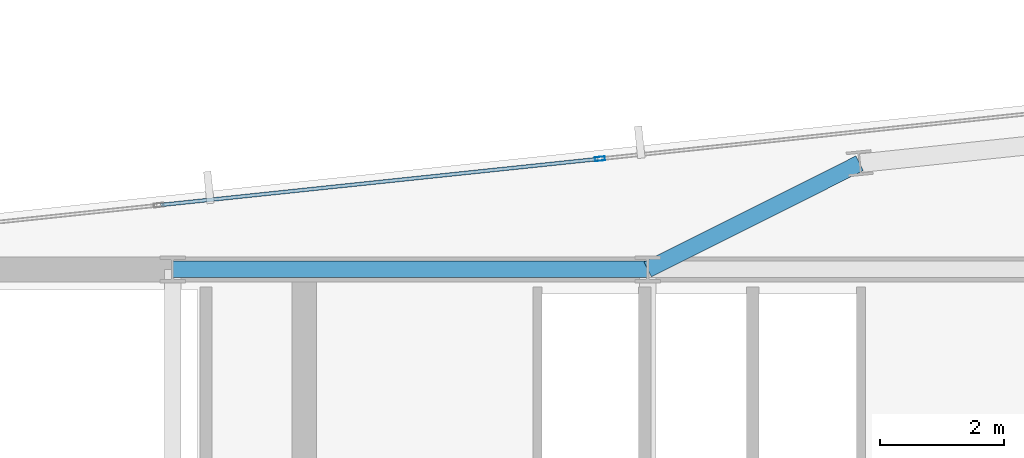
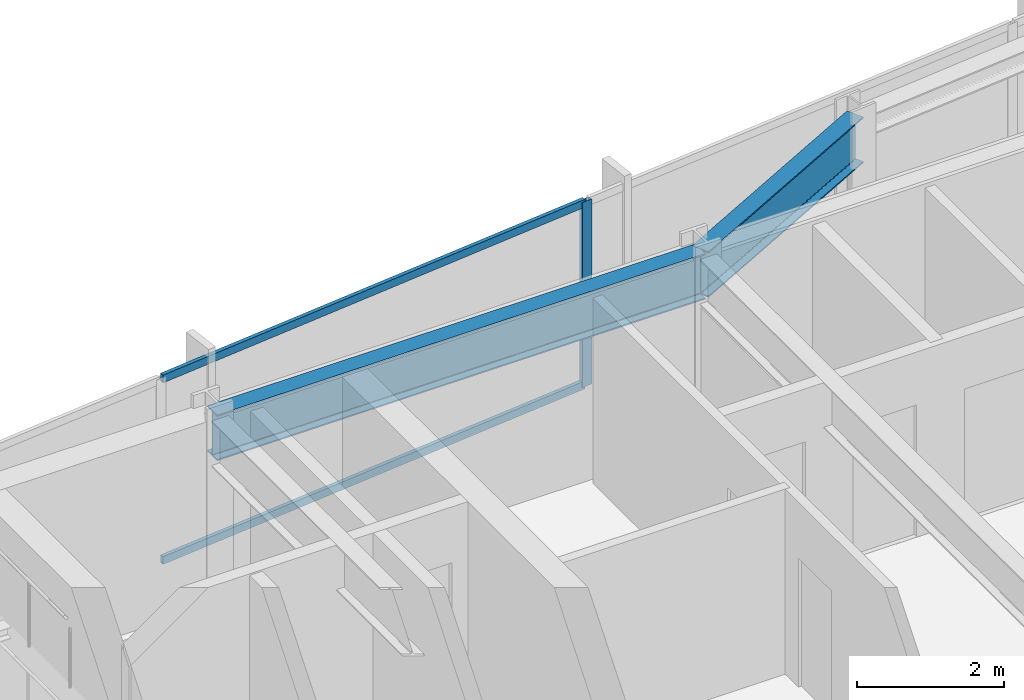
# One storey, part 21 of 32: 3 members, 2 beams, 1 element without a shape of its own.
"""IFC4 building model written with IfcOpenShell, lengths in metres."""

from ifc_helpers import new_model, si_unit, direction, frame, origin, origin_2d, place, context, subcontext, project, spatial, hollow_rectangle, i_section, extrude, material, material_profile, profile_set, type_object, element, aggregate, save


model = new_model("IFC4")

# Units and contexts
model_context = context("Model", 3, precision=1e-05, world=origin(), true_north=direction((0.0, 1.0)))
body_context = subcontext(model_context, "Body", "Model", "MODEL_VIEW")
ifc_project = project(units=[si_unit("LENGTHUNIT", "METRE"), si_unit("AREAUNIT", "SQUARE_METRE"), si_unit("VOLUMEUNIT", "CUBIC_METRE"), si_unit("PLANEANGLEUNIT", "RADIAN"), si_unit("MASSUNIT", "GRAM", prefix="KILO")], contexts=[model_context])

# Site, building, storey
site_placement = place(None, origin())
site = spatial("IfcSite", under=ifc_project, at=site_placement, CompositionType="ELEMENT")
building_placement = place(site_placement, origin())
building = spatial("IfcBuilding", under=site, at=building_placement, Name="Yelkora Congress Tower", CompositionType="ELEMENT")
storey_placement = place(building_placement, frame((0.0, 0.0, 214.39990234375)))
storey = spatial("IfcBuildingStorey", under=building, at=storey_placement, Name="L59", CompositionType="ELEMENT", Elevation=214.39990234375)

# Beams
ifc_material_1 = material(Name="Steel S355J2", Category="steel")
ifc_material_profile_1 = material_profile(ifc_material_1, i_section(OverallWidth=0.26708984375, OverallDepth=0.761962890625, WebThickness=0.014404296875, FlangeThickness=0.021484375, FilletRadius=0.01708984375, at=origin_2d()), Name="IPE 750x173")
ifc_profile_set_1 = profile_set([ifc_material_profile_1], Name="Steel S355J2")
beam_type = type_object("IfcBeamType", Name="BM-GIRD-IPE750", PredefinedType="BEAM", material=ifc_profile_set_1)
beam_1_placement = place(storey_placement, frame((30.719970703125, 46.199951171875, 2.69921875), z_axis=(1.0, 0.0, 0.0), x_axis=(0.0, 1.0, 0.0)))
element("IfcBeam", 1, at=beam_1_placement, inside=storey, type_object=beam_type, Name="L59 Core North Girder 3", PredefinedType="BEAM", context=body_context, shape_type="SweptSolid", body=[
    extrude(i_section(OverallWidth=0.26708984375, OverallDepth=0.761962890625, WebThickness=0.014404296875, FlangeThickness=0.021484375, FilletRadius=0.01708984375, at=origin_2d()), origin(), (0.0, 0.0, 1.0), 7.679931640625),
])
beam_2_placement = place(storey_placement, frame((41.828125, 47.91748046875, 2.69921875), z_axis=(-0.894070348256, -0.447926570288, 0.0), x_axis=(0.447926570288, -0.894070348256, 0.0)))
element("IfcBeam", 2, at=beam_2_placement, inside=storey, type_object=beam_type, Name="L59 Primary Frame Girder N04", PredefinedType="BEAM", context=body_context, shape_type="SweptSolid", body=[
    extrude(i_section(OverallWidth=0.26708984375, OverallDepth=0.761962890625, WebThickness=0.014404296875, FlangeThickness=0.021484375, FilletRadius=0.01708984375, at=origin_2d()), origin(), (0.0, 0.0, 1.0), 3.83447265625),
])

# Curtain wall, members
ifc_material_2 = material(Name="Anodised aluminium and insulated glass", Category="aluminium")
curtain_wall_type = type_object("IfcCurtainWallType", Name="CW-SYS-B4", PredefinedType="NOTDEFINED", material=ifc_material_2)
curtain_wall_placement = place(storey_placement, origin())
curtain_wall = element("IfcCurtainWall", 3, at=curtain_wall_placement, inside=storey, type_object=curtain_wall_type, Name="L59 Unitised Curtain Wall 10 (3)", PredefinedType="NOTDEFINED")
ifc_material_3 = material(Name="Anodised aluminium 6063-T6", Category="aluminium")
ifc_material_profile_2 = material_profile(ifc_material_3, hollow_rectangle(XDim=0.06494140625, YDim=0.159912109375, WallThickness=0.00390625, at=origin_2d()), Name="ALU 65x160x4")
ifc_profile_set_2 = profile_set([ifc_material_profile_2], Name="Anodised aluminium 6063-T6")
member_type_1 = type_object("IfcMemberType", Name="MEM-ML-B4", PredefinedType="MULLION", material=ifc_profile_set_2)
member_1_placement = place(storey_placement, frame((37.62744140625, 47.98876953125, 0.0), z_axis=(0.0, 0.0, 1.0), x_axis=(-0.104527724021, 0.994521973066, 0.0)))
member_1 = element("IfcMember", 4, at=member_1_placement, type_object=member_type_1, Name="CW-B4 mullion 3", PredefinedType="MULLION", context=body_context, shape_type="SweptSolid", body=[
    extrude(hollow_rectangle(XDim=0.06494140625, YDim=0.159912109375, WallThickness=0.00390625, at=origin_2d()), origin(), (0.0, 0.0, 1.0), 3.080078125),
])
ifc_material_profile_3 = material_profile(ifc_material_3, hollow_rectangle(XDim=0.06005859375, YDim=0.1298828125, WallThickness=0.00390625, at=origin_2d()), Name="ALU 60x130x4")
ifc_profile_set_3 = profile_set([ifc_material_profile_3], Name="Anodised aluminium 6063-T6")
member_type_2 = type_object("IfcMemberType", Name="MEM-TR-B4", PredefinedType="USERDEFINED", material=ifc_profile_set_3)
member_2_placement = place(storey_placement, frame((30.529052734375, 47.24267578125, 0.030029296875), z_axis=(0.99452200925, 0.104527379751, 0.0), x_axis=(-0.104527379751, 0.99452200925, 0.0)))
member_2 = element("IfcMember", 5, at=member_2_placement, type_object=member_type_2, Name="CW-B4 transom 2.1", ObjectType="TRANSOM", PredefinedType="USERDEFINED", context=body_context, shape_type="SweptSolid", body=[
    extrude(hollow_rectangle(XDim=0.06005859375, YDim=0.1298828125, WallThickness=0.00390625, at=origin_2d()), origin(), (0.0, 0.0, 1.0), 7.10498046875),
])
member_3_placement = place(storey_placement, frame((30.529052734375, 47.24267578125, 3.050048828125), z_axis=(0.99452200925, 0.104527379751, 0.0), x_axis=(-0.104527379751, 0.99452200925, 0.0)))
member_3 = element("IfcMember", 6, at=member_3_placement, type_object=member_type_2, Name="CW-B4 transom 2.2", ObjectType="TRANSOM", PredefinedType="USERDEFINED", context=body_context, shape_type="SweptSolid", body=[
    extrude(hollow_rectangle(XDim=0.06005859375, YDim=0.1298828125, WallThickness=0.00390625, at=origin_2d()), origin(), (0.0, 0.0, 1.0), 7.10498046875),
])
aggregate(curtain_wall, [member_1, member_2, member_3])

save(model, "model.ifc")
